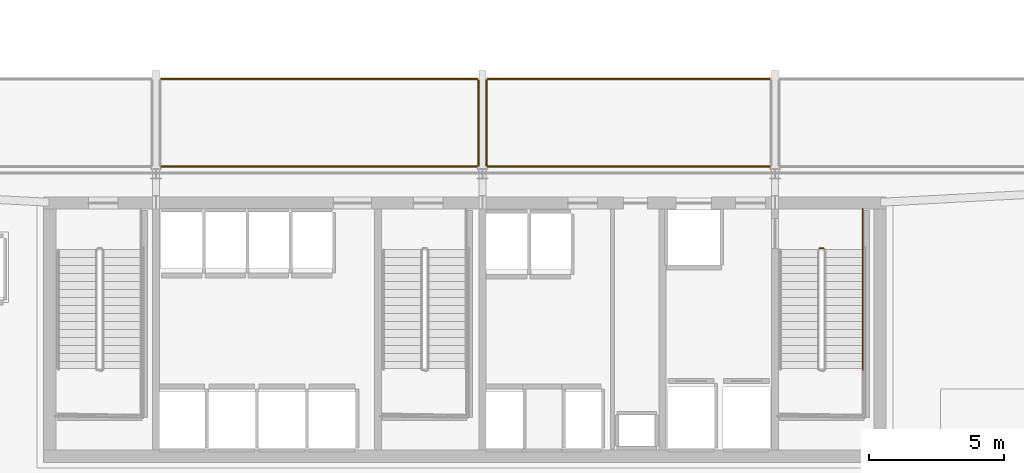
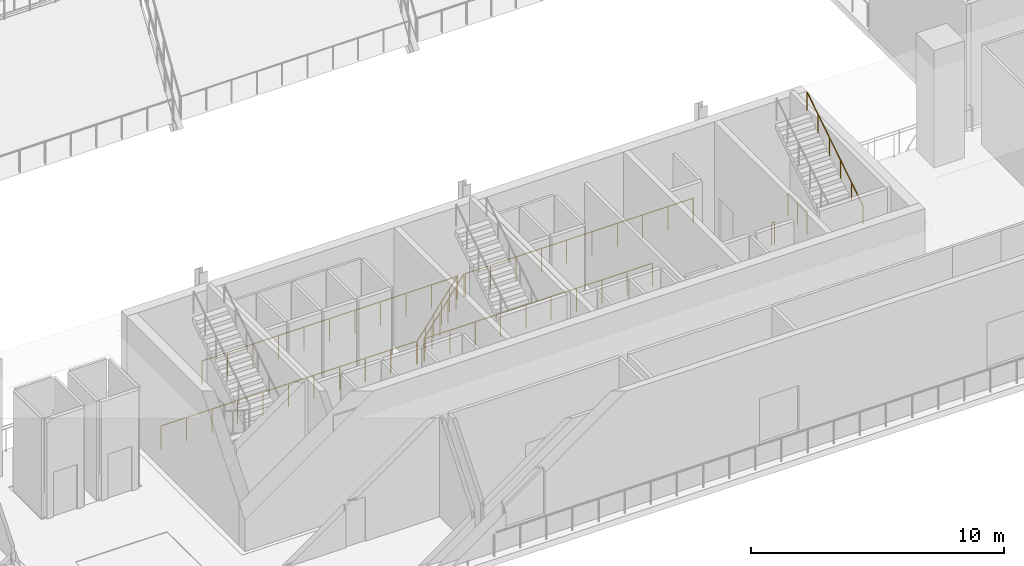
# One storey, part 21 of 30: 9 railings.
"""IFC4 building model written with IfcOpenShell, lengths in metres."""

import ifcopenshell
import ifcopenshell.guid

model = None  # the IFC model being written
_history = None  # IfcOwnerHistory: only IFC2X3 demands one
_inside = {}  # id of a spatial element -> (the spatial element, [elements in it])
_under = {}  # id of a project, library or spatial element -> (it, [spatial elements below it])
_declared = {}  # id of a project -> (the project, [libraries it declares])
_typed = {}  # id of a type object -> (the type object, [elements of that type])
_made_of = {}  # id of a material, layer set ... -> (it, [elements and type objects made of it])


def new_model(schema):
    """Start an empty IFC model of exactly this schema.

    Asked for "IFC4X3", IfcOpenShell would pick the latest addendum, in which some entities
    have other attributes; the version numbers below select the first issue.
    IFC2X3 requires an IfcOwnerHistory on every rooted entity: one is made here for all.
    """
    global model, _history
    if schema == "IFC4X3":
        model = ifcopenshell.file(schema_version=(4, 3, 0, 0))
    else:
        model = ifcopenshell.file(schema=schema)
    _inside.clear()
    _under.clear()
    _declared.clear()
    _typed.clear()
    _made_of.clear()
    _history = None
    if model.schema == "IFC2X3":
        org = make("IfcOrganization", Name="unknown")
        user = make(
            "IfcPersonAndOrganization",
            ThePerson=make("IfcPerson", FamilyName="unknown"),
            TheOrganization=org,
        )
        app = make(
            "IfcApplication",
            ApplicationDeveloper=org,
            Version="unknown",
            ApplicationFullName="unknown",
            ApplicationIdentifier="unknown",
        )
        _history = make(
            "IfcOwnerHistory",
            OwningUser=user,
            OwningApplication=app,
            ChangeAction="ADDED",
            CreationDate=0,
        )
    return model


def make(cls, **values):
    """One entity of the class cls with the attributes given. An attribute that is None is left unset."""
    return model.create_entity(
        cls, **{name: value for name, value in values.items() if value is not None}
    )


def rooted(cls, **values):
    """An entity with a GlobalId (a new one), such as an element, a storey or a relation."""
    return make(cls, GlobalId=ifcopenshell.guid.new(), OwnerHistory=_history, **values)


def si_unit(unit_type, name, prefix=None):
    """IfcSIUnit, for example si_unit("LENGTHUNIT", "METRE", prefix="MILLI")."""
    return make("IfcSIUnit", UnitType=unit_type, Prefix=prefix, Name=name)


def assignment(units):
    """IfcUnitAssignment: the units of a project."""
    return None if units is None else make("IfcUnitAssignment", Units=units)


def point(xyz):
    """IfcCartesianPoint."""
    return None if xyz is None else make("IfcCartesianPoint", Coordinates=xyz)


def direction(xyz):
    """IfcDirection."""
    return None if xyz is None else make("IfcDirection", DirectionRatios=xyz)


def frame(location, z_axis=None, x_axis=None):
    """IfcAxis2Placement3D, a coordinate frame: its origin and axes. An axis left out is left unset."""
    return make(
        "IfcAxis2Placement3D",
        Location=point(location),
        Axis=direction(z_axis),
        RefDirection=direction(x_axis),
    )


def frame_2d(location, x_axis=None):
    """IfcAxis2Placement2D, a coordinate frame in the plane: its origin and x axis."""
    return make(
        "IfcAxis2Placement2D", Location=point(location), RefDirection=direction(x_axis)
    )


def origin():
    """The frame at (0, 0, 0) with its axes left unset."""
    return frame((0.0, 0.0, 0.0))


def origin_2d():
    """The frame at (0, 0) in the plane with its x axis left unset."""
    return frame_2d((0.0, 0.0))


def place(relative_to, where):
    """IfcLocalPlacement: puts the frame where relative to a parent placement (None: the world)."""
    return make(
        "IfcLocalPlacement", PlacementRelTo=relative_to, RelativePlacement=where
    )


def context(
    kind, dimensions, precision=None, world=None, true_north=None, identifier=None
):
    """IfcGeometricRepresentationContext, for example the 3D "Model" context."""
    return make(
        "IfcGeometricRepresentationContext",
        ContextIdentifier=identifier,
        ContextType=kind,
        CoordinateSpaceDimension=dimensions,
        Precision=precision,
        WorldCoordinateSystem=world,
        TrueNorth=true_north,
    )


def subcontext(parent, identifier, kind, view, scale=None):
    """IfcGeometricRepresentationSubContext, for example "Body" below "Model"."""
    return make(
        "IfcGeometricRepresentationSubContext",
        ContextIdentifier=identifier,
        ContextType=kind,
        ParentContext=parent,
        TargetScale=scale,
        TargetView=view,
    )


def project(units=None, contexts=None):
    """IfcProject with its units and contexts."""
    return rooted(
        "IfcProject",
        Name="project",
        RepresentationContexts=contexts,
        UnitsInContext=assignment(units),
    )


def spatial(cls, under=None, at=None, **own):
    """A site, building, storey or space (cls), placed at a placement, below another one or the project."""
    s = rooted(cls, ObjectPlacement=at, **own)
    if under is not None:
        _under.setdefault(under.id(), (under, []))[1].append(s)
    return s


def profile(cls, at=None, kind="AREA", **sizes):
    """A parametric profile (cls). Its sizes go by their IFC names, for example OverallWidth=200.0."""
    return make(cls, ProfileType=kind, Position=at, **sizes)


def circle(**sizes):
    """IfcCircleProfileDef."""
    return profile("IfcCircleProfileDef", **sizes)


def extrude(swept, where, along, depth):
    """IfcExtrudedAreaSolid: the profile swept, set in the frame where, extruded along a direction by depth."""
    return make(
        "IfcExtrudedAreaSolid",
        SweptArea=swept,
        Position=where,
        ExtrudedDirection=direction(along),
        Depth=depth,
    )


def shape(context_of_items, identifier, shape_type, items):
    """IfcShapeRepresentation: the items that make up one representation, for example the "Body"."""
    return make(
        "IfcShapeRepresentation",
        ContextOfItems=context_of_items,
        RepresentationIdentifier=identifier,
        RepresentationType=shape_type,
        Items=items,
    )


def material(Name=None, Category=None):
    """IfcMaterial."""
    return make("IfcMaterial", Name=Name, Category=Category)


def layer(
    of_material, thickness, ventilated=None, Name=None, Category=None, Priority=None
):
    """IfcMaterialLayer: one layer of a wall or slab, of a material (None: an air gap)."""
    return make(
        "IfcMaterialLayer",
        Material=of_material,
        LayerThickness=thickness,
        IsVentilated=ventilated,
        Name=Name,
        Category=Category,
        Priority=Priority,
    )


def layer_set(layers, Name=None):
    """IfcMaterialLayerSet."""
    return make("IfcMaterialLayerSet", MaterialLayers=layers, LayerSetName=Name)


def made_of(thing, what):
    """Note that an element or type object is made of a material, layer set ...; save() writes the relation."""
    if what is not None:
        _made_of.setdefault(what.id(), (what, []))[1].append(thing)
    return thing


def type_object(cls, material=None, **own):
    """A type object (cls), such as IfcWallType, which elements share."""
    return made_of(rooted(cls, **own), material)


def element(
    cls,
    number,
    at=None,
    inside=None,
    cuts=None,
    type_object=None,
    material=None,
    context=None,
    identifier="Body",
    shape_type=None,
    held_by="IfcProductDefinitionShape",
    body=None,
    shapes=None,
    **own,
):
    """One element of the class cls, such as IfcWall. Its Tag is "e" and its number.

    at: its placement. inside: the storey or other place that contains it. cuts: it is an
    opening in that element (IfcRelVoidsElement). A single representation is given by context,
    identifier, shape_type and body (its items); several are given by shapes. held_by: the class
    of the entity that holds the representations. save() writes the other relations.
    """
    e = rooted(cls, Tag="e%d" % number, ObjectPlacement=at, **own)
    if body is not None:
        shapes = [shape(context, identifier, shape_type, body)]
    if shapes is not None:
        e.Representation = make(held_by, Representations=shapes)
    if inside is not None:
        _inside.setdefault(inside.id(), (inside, []))[1].append(e)
    if cuts is not None:
        rooted(
            "IfcRelVoidsElement", RelatingBuildingElement=cuts, RelatedOpeningElement=e
        )
    if type_object is not None:
        _typed.setdefault(type_object.id(), (type_object, []))[1].append(e)
    return made_of(e, material)


def aggregate(whole, parts):
    """IfcRelAggregates: a whole, such as a stair, and the parts it consists of."""
    return rooted("IfcRelAggregates", RelatingObject=whole, RelatedObjects=parts)


def save(model, path):
    """Write the relations noted so far, then the file.

    IfcRelAggregates (storeys below a building ...), IfcRelContainedInSpatialStructure (elements
    in a storey), IfcRelDefinesByType, IfcRelAssociatesMaterial and IfcRelDeclares: one each for
    every whole, place, type object, material and project.
    """
    for whole, parts in _under.values():
        aggregate(whole, parts)
    for where, things in _inside.values():
        rooted(
            "IfcRelContainedInSpatialStructure",
            RelatedElements=things,
            RelatingStructure=where,
        )
    for kind, things in _typed.values():
        rooted("IfcRelDefinesByType", RelatedObjects=things, RelatingType=kind)
    for what, things in _made_of.values():
        rooted("IfcRelAssociatesMaterial", RelatedObjects=things, RelatingMaterial=what)
    for by, libraries in _declared.values():
        rooted("IfcRelDeclares", RelatingContext=by, RelatedDefinitions=libraries)
    model.write(path)


model = new_model("IFC4")

# Units and contexts
model_context = context("Model", 3, precision=1e-05, world=origin(), true_north=direction((0.0, 1.0)))
body_context = subcontext(model_context, "Body", "Model", "MODEL_VIEW")
ifc_project = project(units=[si_unit("LENGTHUNIT", "METRE"), si_unit("AREAUNIT", "SQUARE_METRE"), si_unit("VOLUMEUNIT", "CUBIC_METRE"), si_unit("PLANEANGLEUNIT", "RADIAN"), si_unit("MASSUNIT", "GRAM", prefix="KILO")], contexts=[model_context])

# Site, building, storey
site_placement = place(None, origin())
site = spatial("IfcSite", under=ifc_project, at=site_placement, CompositionType="ELEMENT")
building_placement = place(site_placement, origin())
building = spatial("IfcBuilding", under=site, at=building_placement, Name="Ndaravel Arena Tower", CompositionType="ELEMENT")
storey_placement = place(building_placement, frame((0.0, 0.0, 6.0)))
storey = spatial("IfcBuildingStorey", under=building, at=storey_placement, Name="L01", CompositionType="ELEMENT", Elevation=6.0)

# Railings
ifc_material_1 = material(Name="Steel S355", Category="steel")
ifc_layer_1 = layer(ifc_material_1, 0.06005859375)
ifc_layer_set_1 = layer_set([ifc_layer_1], Name="Steel S355")
railing_type_1 = type_object("IfcRailingType", Name="RAIL-STAIR-GD1100", PredefinedType="GUARDRAIL", material=ifc_layer_set_1)
railing_1_placement = place(storey_placement, frame((55.10009765625, 13.300048828125, 0.0)))
element("IfcRailing", 1, at=railing_1_placement, inside=storey, type_object=railing_type_1, Name="L01 ST-3 stair guard 4", PredefinedType="GUARDRAIL", context=body_context, shape_type="SweptSolid", body=[
    extrude(circle(Radius=0.02392578125, at=origin_2d()), frame((0.0, 0.0, 1.076171875), z_axis=(1.0, 0.0, 0.0), x_axis=(0.0, 1.0, 0.0)), (0.0, 0.0, 1.0), 0.139892578125),
    extrude(circle(Radius=0.02099609375, at=origin_2d()), origin(), (0.0, 0.0, 1.0), 1.052001953125),
    extrude(circle(Radius=0.02099609375, at=origin_2d()), frame((0.139892578125, 0.0, 0.0)), (0.0, 0.0, 1.0), 1.052001953125),
])
railing_2_placement = place(storey_placement, frame((56.68994140625, 14.75, 0.0)))
element("IfcRailing", 2, at=railing_2_placement, inside=storey, type_object=railing_type_1, Name="L01 ST-3 stair guard 5", PredefinedType="GUARDRAIL", context=body_context, shape_type="SweptSolid", body=[
    extrude(circle(Radius=0.02392578125, at=origin_2d()), frame((0.0, 0.0, 1.076171875), z_axis=(0.0, -1.0, 0.0), x_axis=(1.0, 0.0, 0.0)), (0.0, 0.0, 1.0), 1.5),
    extrude(circle(Radius=0.02099609375, at=origin_2d()), origin(), (0.0, 0.0, 1.0), 1.052001953125),
    extrude(circle(Radius=0.02099609375, at=origin_2d()), frame((0.0, -0.75, 0.0)), (0.0, 0.0, 1.0), 1.052001953125),
    extrude(circle(Radius=0.02099609375, at=origin_2d()), frame((0.0, -1.5, 0.0)), (0.0, 0.0, 1.0), 1.052001953125),
])
ifc_material_2 = material(Name="Steel S355", Category="steel")
ifc_layer_2 = layer(ifc_material_2, 0.050048828125)
ifc_layer_set_2 = layer_set([ifc_layer_2], Name="Steel S355")
railing_type_2 = type_object("IfcRailingType", Name="RAIL-STAIR-HR920", PredefinedType="HANDRAIL", material=ifc_layer_set_2)
railing_3_placement = place(storey_placement, frame((56.68994140625, 8.824951171875, 3.1875)))
element("IfcRailing", 3, at=railing_3_placement, inside=storey, type_object=railing_type_2, Name="L01 ST-3 stair handrail 2", PredefinedType="HANDRAIL", context=body_context, shape_type="SweptSolid", body=[
    extrude(circle(Radius=0.02392578125, at=origin_2d()), frame((0.0, 0.0, 0.8759765625), z_axis=(0.0, 0.843958541447, 0.536408408136), x_axis=(-1.0, 0.0, 0.0)), (0.0, 0.0, 1.0), 5.2431640625),
    extrude(circle(Radius=0.02099609375, at=origin_2d()), origin(), (0.0, 0.0, 1.0), 0.851806640625),
    extrude(circle(Radius=0.02099609375, at=origin_2d()), frame((0.0, 0.885009765625, 0.5625)), (0.0, 0.0, 1.0), 0.851806640625),
    extrude(circle(Radius=0.02099609375, at=origin_2d()), frame((0.0, 1.77001953125, 1.125)), (0.0, 0.0, 1.0), 0.851806640625),
    extrude(circle(Radius=0.02099609375, at=origin_2d()), frame((0.0, 2.655029296875, 1.6875)), (0.0, 0.0, 1.0), 0.851806640625),
    extrude(circle(Radius=0.02099609375, at=origin_2d()), frame((0.0, 3.5400390625, 2.25)), (0.0, 0.0, 1.0), 0.851806640625),
    extrude(circle(Radius=0.02099609375, at=origin_2d()), frame((0.0, 4.425048828125, 2.8125)), (0.0, 0.0, 1.0), 0.851806640625),
])
ifc_material_3 = material(Name="Glazing", Category="glass")
ifc_layer_3 = layer(ifc_material_3, 0.070068359375)
ifc_layer_set_3 = layer_set([ifc_layer_3], Name="Glazing")
railing_type_3 = type_object("IfcRailingType", Name="RAIL-TERRACE-1150", PredefinedType="BALUSTRADE", material=ifc_layer_set_3)
railing_4_placement = place(storey_placement, frame((30.7900390625, 19.550048828125, -5.14990234375)))
element("IfcRailing", 4, at=railing_4_placement, inside=storey, type_object=railing_type_3, Name="L01 Lower South Stand Guard 2F", PredefinedType="BALUSTRADE", context=body_context, shape_type="SweptSolid", body=[
    extrude(circle(Radius=0.02392578125, at=origin_2d()), frame((0.0, 0.0, 1.1259765625), z_axis=(1.0, 0.0, 0.0), x_axis=(0.0, 1.0, 0.0)), (0.0, 0.0, 1.0), 11.669921875),
    extrude(circle(Radius=0.02099609375, at=origin_2d()), origin(), (0.0, 0.0, 1.0), 1.101806640625),
    extrude(circle(Radius=0.02099609375, at=origin_2d()), frame((1.1669921875, 0.0, 0.0)), (0.0, 0.0, 1.0), 1.101806640625),
    extrude(circle(Radius=0.02099609375, at=origin_2d()), frame((2.333984375, 0.0, 0.0)), (0.0, 0.0, 1.0), 1.101806640625),
    extrude(circle(Radius=0.02099609375, at=origin_2d()), frame((3.5009765625, 0.0, 0.0)), (0.0, 0.0, 1.0), 1.101806640625),
    extrude(circle(Radius=0.02099609375, at=origin_2d()), frame((4.66796875, 0.0, 0.0)), (0.0, 0.0, 1.0), 1.101806640625),
    extrude(circle(Radius=0.02099609375, at=origin_2d()), frame((5.8349609375, 0.0, 0.0)), (0.0, 0.0, 1.0), 1.101806640625),
    extrude(circle(Radius=0.02099609375, at=origin_2d()), frame((7.001953125, 0.0, 0.0)), (0.0, 0.0, 1.0), 1.101806640625),
    extrude(circle(Radius=0.02099609375, at=origin_2d()), frame((8.1689453125, 0.0, 0.0)), (0.0, 0.0, 1.0), 1.101806640625),
    extrude(circle(Radius=0.02099609375, at=origin_2d()), frame((9.3359375, 0.0, 0.0)), (0.0, 0.0, 1.0), 1.101806640625),
    extrude(circle(Radius=0.02099609375, at=origin_2d()), frame((10.5029296875, 0.0, 0.0)), (0.0, 0.0, 1.0), 1.101806640625),
    extrude(circle(Radius=0.02099609375, at=origin_2d()), frame((11.669921875, 0.0, 0.0)), (0.0, 0.0, 1.0), 1.101806640625),
])
railing_5_placement = place(storey_placement, frame((42.5, 19.510009765625, -5.090087890625)))
element("IfcRailing", 5, at=railing_5_placement, inside=storey, type_object=railing_type_3, Name="L01 Lower South Stand Guard 2E", PredefinedType="BALUSTRADE", context=body_context, shape_type="SweptSolid", body=[
    extrude(circle(Radius=0.02392578125, at=origin_2d()), frame((0.0, 0.0, 1.1259765625), z_axis=(0.0, -0.531193675034, 0.847250423195), x_axis=(1.0, 0.0, 0.0)), (0.0, 0.0, 1.0), 5.94873046875),
    extrude(circle(Radius=0.02099609375, at=origin_2d()), origin(), (0.0, 0.0, 1.0), 1.101806640625),
    extrude(circle(Radius=0.02099609375, at=origin_2d()), frame((0.0, -0.632080078125, 1.008056640625)), (0.0, 0.0, 1.0), 1.101806640625),
    extrude(circle(Radius=0.02099609375, at=origin_2d()), frame((0.0, -1.263916015625, 2.01611328125)), (0.0, 0.0, 1.0), 1.101806640625),
    extrude(circle(Radius=0.02099609375, at=origin_2d()), frame((0.0, -1.89599609375, 3.02392578125)), (0.0, 0.0, 1.0), 1.101806640625),
    extrude(circle(Radius=0.02099609375, at=origin_2d()), frame((0.0, -2.52783203125, 4.031982421875)), (0.0, 0.0, 1.0), 1.101806640625),
    extrude(circle(Radius=0.02099609375, at=origin_2d()), frame((0.0, -3.159912109375, 5.0400390625)), (0.0, 0.0, 1.0), 1.101806640625),
])
railing_6_placement = place(storey_placement, frame((30.7900390625, 16.320068359375, -0.050048828125)))
element("IfcRailing", 6, at=railing_6_placement, inside=storey, type_object=railing_type_3, Name="L01 Lower South Stand Guard 2T", PredefinedType="BALUSTRADE", context=body_context, shape_type="SweptSolid", body=[
    extrude(circle(Radius=0.02392578125, at=origin_2d()), frame((0.0, 0.0, 1.1259765625), z_axis=(1.0, 0.0, 0.0), x_axis=(0.0, 1.0, 0.0)), (0.0, 0.0, 1.0), 11.669921875),
    extrude(circle(Radius=0.02099609375, at=origin_2d()), origin(), (0.0, 0.0, 1.0), 1.101806640625),
    extrude(circle(Radius=0.02099609375, at=origin_2d()), frame((1.1669921875, 0.0, 0.0)), (0.0, 0.0, 1.0), 1.101806640625),
    extrude(circle(Radius=0.02099609375, at=origin_2d()), frame((2.333984375, 0.0, 0.0)), (0.0, 0.0, 1.0), 1.101806640625),
    extrude(circle(Radius=0.02099609375, at=origin_2d()), frame((3.5009765625, 0.0, 0.0)), (0.0, 0.0, 1.0), 1.101806640625),
    extrude(circle(Radius=0.02099609375, at=origin_2d()), frame((4.66796875, 0.0, 0.0)), (0.0, 0.0, 1.0), 1.101806640625),
    extrude(circle(Radius=0.02099609375, at=origin_2d()), frame((5.8349609375, 0.0, 0.0)), (0.0, 0.0, 1.0), 1.101806640625),
    extrude(circle(Radius=0.02099609375, at=origin_2d()), frame((7.001953125, 0.0, 0.0)), (0.0, 0.0, 1.0), 1.101806640625),
    extrude(circle(Radius=0.02099609375, at=origin_2d()), frame((8.1689453125, 0.0, 0.0)), (0.0, 0.0, 1.0), 1.101806640625),
    extrude(circle(Radius=0.02099609375, at=origin_2d()), frame((9.3359375, 0.0, 0.0)), (0.0, 0.0, 1.0), 1.101806640625),
    extrude(circle(Radius=0.02099609375, at=origin_2d()), frame((10.5029296875, 0.0, 0.0)), (0.0, 0.0, 1.0), 1.101806640625),
    extrude(circle(Radius=0.02099609375, at=origin_2d()), frame((11.669921875, 0.0, 0.0)), (0.0, 0.0, 1.0), 1.101806640625),
])
railing_7_placement = place(storey_placement, frame((42.800048828125, 16.35009765625, -0.050048828125)))
element("IfcRailing", 7, at=railing_7_placement, inside=storey, type_object=railing_type_3, Name="L01 Lower South Stand Guard 3W", PredefinedType="BALUSTRADE", context=body_context, shape_type="SweptSolid", body=[
    extrude(circle(Radius=0.02392578125, at=origin_2d()), frame((0.0, 0.0, 1.1259765625), z_axis=(0.0, 0.531193675034, -0.847250423195), x_axis=(-1.0, 0.0, 0.0)), (0.0, 0.0, 1.0), 5.94873046875),
    extrude(circle(Radius=0.02099609375, at=origin_2d()), origin(), (0.0, 0.0, 1.0), 1.101806640625),
    extrude(circle(Radius=0.02099609375, at=origin_2d()), frame((0.0, 0.632080078125, -1.008056640625)), (0.0, 0.0, 1.0), 1.101806640625),
    extrude(circle(Radius=0.02099609375, at=origin_2d()), frame((0.0, 1.263916015625, -2.01611328125)), (0.0, 0.0, 1.0), 1.101806640625),
    extrude(circle(Radius=0.02099609375, at=origin_2d()), frame((0.0, 1.89599609375, -3.02392578125)), (0.0, 0.0, 1.0), 1.101806640625),
    extrude(circle(Radius=0.02099609375, at=origin_2d()), frame((0.0, 2.52783203125, -4.031982421875)), (0.0, 0.0, 1.0), 1.101806640625),
    extrude(circle(Radius=0.02099609375, at=origin_2d()), frame((0.0, 3.159912109375, -5.0400390625)), (0.0, 0.0, 1.0), 1.101806640625),
])
for number, where, name in (
    (8, (42.840087890625, 19.550048828125, -5.14990234375), "L01 Lower South Stand Guard 3F"),
    (9, (42.840087890625, 16.320068359375, -0.050048828125), "L01 Lower South Stand Guard 3T"),
):
    element("IfcRailing", number, at=place(storey_placement, frame(where)), inside=storey, type_object=railing_type_3, Name=name, PredefinedType="BALUSTRADE", context=body_context, shape_type="SweptSolid", body=[
        extrude(circle(Radius=0.02392578125, at=origin_2d()), frame((0.0, 0.0, 1.1259765625), z_axis=(1.0, 0.0, 0.0), x_axis=(0.0, 1.0, 0.0)), (0.0, 0.0, 1.0), 10.419921875),
        extrude(circle(Radius=0.02099609375, at=origin_2d()), origin(), (0.0, 0.0, 1.0), 1.101806640625),
        extrude(circle(Radius=0.02099609375, at=origin_2d()), frame((1.15771484375, 0.0, 0.0)), (0.0, 0.0, 1.0), 1.101806640625),
        extrude(circle(Radius=0.02099609375, at=origin_2d()), frame((2.3154296875, 0.0, 0.0)), (0.0, 0.0, 1.0), 1.101806640625),
        extrude(circle(Radius=0.02099609375, at=origin_2d()), frame((3.473388671875, 0.0, 0.0)), (0.0, 0.0, 1.0), 1.101806640625),
        extrude(circle(Radius=0.02099609375, at=origin_2d()), frame((4.631103515625, 0.0, 0.0)), (0.0, 0.0, 1.0), 1.101806640625),
        extrude(circle(Radius=0.02099609375, at=origin_2d()), frame((5.788818359375, 0.0, 0.0)), (0.0, 0.0, 1.0), 1.101806640625),
        extrude(circle(Radius=0.02099609375, at=origin_2d()), frame((6.946533203125, 0.0, 0.0)), (0.0, 0.0, 1.0), 1.101806640625),
        extrude(circle(Radius=0.02099609375, at=origin_2d()), frame((8.1044921875, 0.0, 0.0)), (0.0, 0.0, 1.0), 1.101806640625),
        extrude(circle(Radius=0.02099609375, at=origin_2d()), frame((9.26220703125, 0.0, 0.0)), (0.0, 0.0, 1.0), 1.101806640625),
        extrude(circle(Radius=0.02099609375, at=origin_2d()), frame((10.419921875, 0.0, 0.0)), (0.0, 0.0, 1.0), 1.101806640625),
    ])

save(model, "model.ifc")
